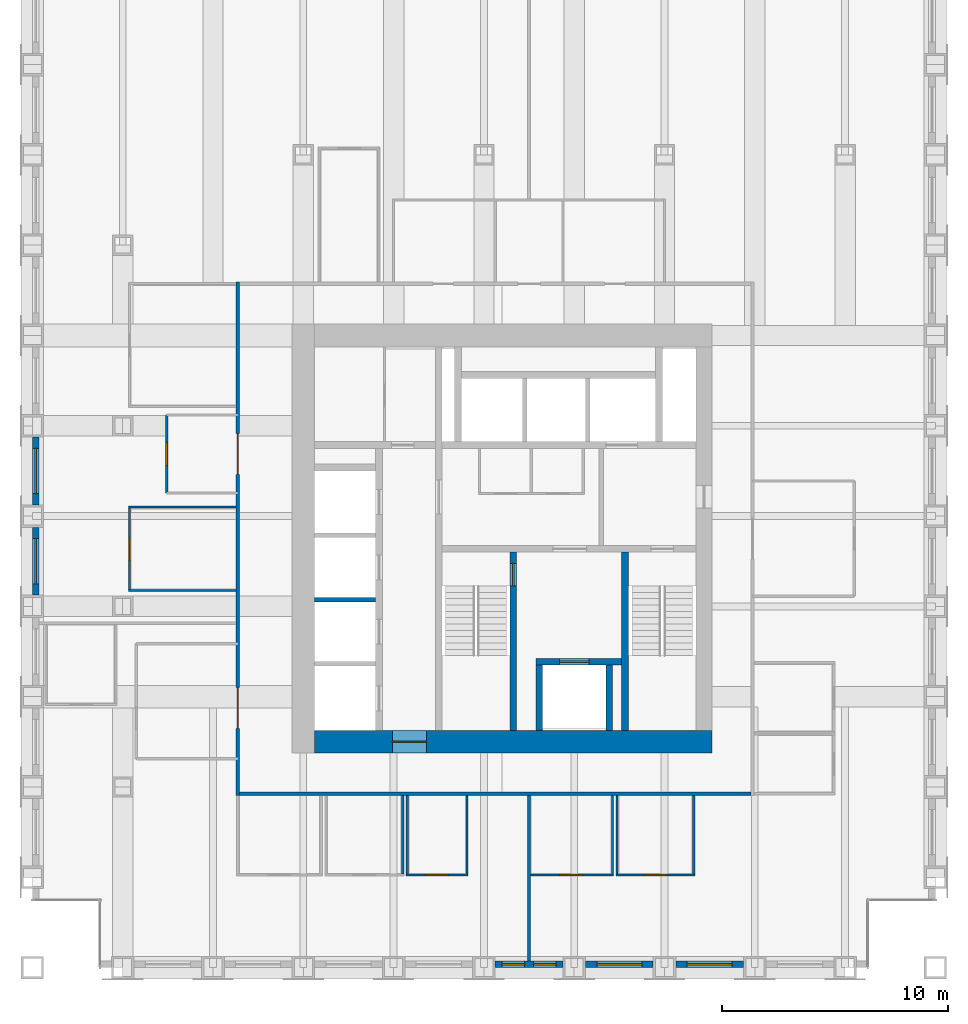
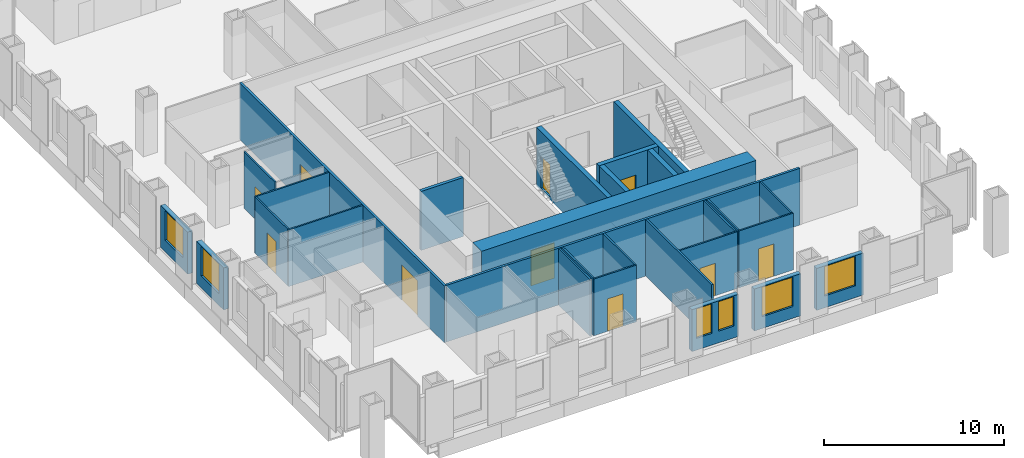
# One storey, part 9 of 14: 28 walls, 10 doors, 6 windows, 16 openings.
"""IFC4 building model written with IfcOpenShell, lengths in metres."""

from ifc_helpers import new_model, si_unit, direction, frame, frame_2d, origin, place, context, subcontext, project, spatial, rectangle, extrude, material, layer, layer_set, type_object, element, fill, save


model = new_model("IFC4")

# Units and contexts
model_context = context("Model", 3, precision=1e-05, world=origin(), true_north=direction((0.0, 1.0)))
body_context = subcontext(model_context, "Body", "Model", "MODEL_VIEW")
ifc_project = project(units=[si_unit("LENGTHUNIT", "METRE"), si_unit("AREAUNIT", "SQUARE_METRE"), si_unit("VOLUMEUNIT", "CUBIC_METRE"), si_unit("PLANEANGLEUNIT", "RADIAN"), si_unit("MASSUNIT", "GRAM", prefix="KILO")], contexts=[model_context])

# Site, building, storey
site_placement = place(None, origin())
site = spatial("IfcSite", under=ifc_project, at=site_placement, CompositionType="ELEMENT")
building_placement = place(site_placement, origin())
building = spatial("IfcBuilding", under=site, at=building_placement, Name="Rimbunsela Tower", CompositionType="ELEMENT")
storey_placement = place(building_placement, frame((0.0, 0.0, 183.800048828125)))
storey = spatial("IfcBuildingStorey", under=building, at=storey_placement, Name="L44", CompositionType="ELEMENT", Elevation=183.800048828125)

# Wall, opening, door
ifc_material_1 = material(Name="Concrete fc' 80 MPa", Category="concrete")
ifc_layer_1 = layer(ifc_material_1, 0.300048828125)
ifc_layer_set_1 = layer_set([ifc_layer_1], Name="Core internal wall 300")
wall_type_1 = type_object("IfcWallType", Name="Core internal wall 300", PredefinedType="SHEAR", material=ifc_layer_set_1)
wall_1_placement = place(storey_placement, frame((27.300048828125, 18.5, -0.150146484375), z_axis=(0.0, 0.0, 1.0), x_axis=(0.0, 1.0, 0.0)))
wall_1 = element("IfcWall", 1, at=wall_1_placement, inside=storey, type_object=wall_type_1, Name="Stair A enclosure", PredefinedType="SHEAR", context=body_context, shape_type="SweptSolid", body=[
    extrude(rectangle(XDim=7.89990234375, YDim=0.300048828125, at=frame_2d((3.949951171875, 0.0))), origin(), (0.0, 0.0, 1.0), 4.0),
])
opening_1_placement = place(wall_1_placement, frame((6.39990234375, 0.0, 0.14990234375)))
opening_1 = element("IfcOpeningElement", 2, at=opening_1_placement, cuts=wall_1, Name="Opening D01", PredefinedType="OPENING", context=body_context, shape_type="SweptSolid", body=[
    extrude(rectangle(XDim=1.0, YDim=2.199951171875, at=frame_2d((0.5, 1.10009765625))), frame((0.0, 0.159912109375, 0.0), z_axis=(0.0, -1.0, 0.0), x_axis=(1.0, 0.0, 0.0)), (0.0, 0.0, 1.0), 0.320068359375),
])
ifc_material_2 = material(Name="Steel door, fire rated", Category="steel")
door_type_1 = type_object("IfcDoorType", Name="Stair door 1000", OperationType="SINGLE_SWING_RIGHT", PredefinedType="DOOR", material=ifc_material_2)
door_1_placement = place(opening_1_placement, origin())
door_1 = element("IfcDoor", 3, at=door_1_placement, inside=storey, type_object=door_type_1, Name="Stair A door", OperationType="SINGLE_SWING_RIGHT", OverallHeight=2.199951171875, OverallWidth=1.0, PredefinedType="DOOR", context=body_context, shape_type="SweptSolid", body=[
    extrude(rectangle(XDim=1.0, YDim=2.199951171875, at=frame_2d((0.5, 1.10009765625))), frame((0.0, 0.02490234375, 0.0), z_axis=(0.0, -1.0, 0.0), x_axis=(1.0, 0.0, 0.0)), (0.0, 0.0, 1.0), 0.050048828125),
])
fill(opening_1, door_1)

# Walls
wall_2_placement = place(storey_placement, frame((32.25, 18.5, -0.150146484375), z_axis=(0.0, 0.0, 1.0), x_axis=(0.0, 1.0, 0.0)))
element("IfcWall", 4, at=wall_2_placement, inside=storey, type_object=wall_type_1, Name="Stair B enclosure", PredefinedType="SHEAR", context=body_context, shape_type="SweptSolid", body=[
    extrude(rectangle(XDim=7.89990234375, YDim=0.300048828125, at=frame_2d((3.949951171875, 0.0))), origin(), (0.0, 0.0, 1.0), 4.0),
])
for number, where, z_axis, x_axis, name in (
    (5, (28.449951171875, 18.5, -0.150146484375), (0.0, 0.0, 1.0), (0.0, 1.0, 0.0), "Firefighting lift shaft west"),
    (6, (31.550048828125, 18.5, -0.150146484375), (0.0, 0.0, 1.0), (0.0, 1.0, 0.0), "Firefighting lift shaft east"),
):
    element("IfcWall", number, at=place(storey_placement, frame(where, z_axis=z_axis, x_axis=x_axis)), inside=storey, type_object=wall_type_1, Name=name, PredefinedType="SHEAR", context=body_context, shape_type="SweptSolid", body=[
        extrude(rectangle(XDim=2.89990234375, YDim=0.300048828125, at=frame_2d((1.449951171875, 0.0))), origin(), (0.0, 0.0, 1.0), 4.0),
    ])

# Wall, opening, door
wall_3_placement = place(storey_placement, frame((28.300048828125, 21.550048828125, -0.150146484375), z_axis=(0.0, 0.0, 1.0), x_axis=(1.0, 0.0, 0.0)))
wall_3 = element("IfcWall", 7, at=wall_3_placement, inside=storey, type_object=wall_type_1, Name="Firefighting lift shaft front", PredefinedType="SHEAR", context=body_context, shape_type="SweptSolid", body=[
    extrude(rectangle(XDim=3.800048828125, YDim=0.300048828125, at=frame_2d((1.89990234375, 0.0))), origin(), (0.0, 0.0, 1.0), 4.0),
])
opening_2_placement = place(wall_3_placement, frame((1.050048828125, 0.0, 0.14990234375)))
opening_2 = element("IfcOpeningElement", 8, at=opening_2_placement, cuts=wall_3, Name="Opening LD2", PredefinedType="OPENING", context=body_context, shape_type="SweptSolid", body=[
    extrude(rectangle(XDim=1.300048828125, YDim=2.39990234375, at=frame_2d((0.64990234375, 1.199951171875))), frame((0.0, 0.159912109375, 0.0), z_axis=(0.0, -1.0, 0.0), x_axis=(1.0, 0.0, 0.0)), (0.0, 0.0, 1.0), 0.320068359375),
])
ifc_material_3 = material(Name="Steel door, fire rated", Category="steel")
door_type_2 = type_object("IfcDoorType", Name="Lift landing door 1300", OperationType="DOUBLE_DOOR_SLIDING", PredefinedType="DOOR", material=ifc_material_3)
door_2_placement = place(opening_2_placement, origin())
door_2 = element("IfcDoor", 9, at=door_2_placement, inside=storey, type_object=door_type_2, Name="Lift landing door FL1", OperationType="DOUBLE_DOOR_SLIDING", OverallHeight=2.39990234375, OverallWidth=1.300048828125, PredefinedType="DOOR", context=body_context, shape_type="SweptSolid", body=[
    extrude(rectangle(XDim=1.300048828125, YDim=2.39990234375, at=frame_2d((0.64990234375, 1.199951171875))), frame((0.0, 0.02490234375, 0.0), z_axis=(0.0, -1.0, 0.0), x_axis=(1.0, 0.0, 0.0)), (0.0, 0.0, 1.0), 0.050048828125),
])
fill(opening_2, door_2)

ifc_material_4 = material(Name="Concrete fc' 80 MPa", Category="concrete")
ifc_layer_2 = layer(ifc_material_4, 1.0)
ifc_layer_set_2 = layer_set([ifc_layer_2], Name="Core wall 1000")
wall_type_2 = type_object("IfcWallType", Name="Core wall 1000", PredefinedType="SHEAR", material=ifc_layer_set_2)
wall_4_placement = place(storey_placement, frame((18.5, 18.0, -0.150146484375), z_axis=(0.0, 0.0, 1.0), x_axis=(1.0, 0.0, 0.0)))
wall_4 = element("IfcWall", 10, at=wall_4_placement, inside=storey, type_object=wall_type_2, Name="Core wall south", PredefinedType="SHEAR", context=body_context, shape_type="SweptSolid", body=[
    extrude(rectangle(XDim=17.60009765625, YDim=1.0, at=frame_2d((8.800048828125, 0.0))), origin(), (0.0, 0.0, 1.0), 4.0),
])
opening_3_placement = place(wall_4_placement, frame((3.449951171875, 0.0, 0.14990234375)))
opening_3 = element("IfcOpeningElement", 11, at=opening_3_placement, cuts=wall_4, Name="Opening D03", PredefinedType="OPENING", context=body_context, shape_type="SweptSolid", body=[
    extrude(rectangle(XDim=1.5, YDim=2.39990234375, at=frame_2d((0.75, 1.199951171875))), frame((0.0, 0.510009765625, 0.0), z_axis=(0.0, -1.0, 0.0), x_axis=(1.0, 0.0, 0.0)), (0.0, 0.0, 1.0), 1.02001953125),
])
ifc_material_5 = material(Name="Steel door, fire rated", Category="steel")
door_type_3 = type_object("IfcDoorType", Name="Core lobby door 1500", OperationType="DOUBLE_DOOR_DOUBLE_SWING", PredefinedType="DOOR", material=ifc_material_5)
door_3_placement = place(opening_3_placement, origin())
door_3 = element("IfcDoor", 12, at=door_3_placement, inside=storey, type_object=door_type_3, Name="Core door south", OperationType="DOUBLE_DOOR_DOUBLE_SWING", OverallHeight=2.39990234375, OverallWidth=1.5, PredefinedType="DOOR", context=body_context, shape_type="SweptSolid", body=[
    extrude(rectangle(XDim=1.5, YDim=2.39990234375, at=frame_2d((0.75, 1.199951171875))), frame((0.0, 0.02490234375, 0.0), z_axis=(0.0, -1.0, 0.0), x_axis=(1.0, 0.0, 0.0)), (0.0, 0.0, 1.0), 0.050048828125),
])
fill(opening_3, door_3)

# Wall
ifc_material_6 = material(Name="Concrete blockwork", Category="masonry")
ifc_layer_3 = layer(ifc_material_6, 0.199951171875)
ifc_layer_set_3 = layer_set([ifc_layer_3], Name="Lift shaft wall 200")
wall_type_3 = type_object("IfcWallType", Name="Lift shaft wall 200", PredefinedType="SOLIDWALL", material=ifc_layer_set_3)
wall_5_placement = place(storey_placement, frame((18.5, 24.300048828125, -0.150146484375), z_axis=(0.0, 0.0, 1.0), x_axis=(1.0, 0.0, 0.0)))
element("IfcWall", 13, at=wall_5_placement, inside=storey, type_object=wall_type_3, Name="Lift shaft separation", PredefinedType="SOLIDWALL", context=body_context, shape_type="SweptSolid", body=[
    extrude(rectangle(XDim=2.699951171875, YDim=0.199951171875, at=frame_2d((1.35009765625, 0.0))), origin(), (0.0, 0.0, 1.0), 4.0),
])

# Wall, opening, door
ifc_material_7 = material(Name="Gypsum board on steel studs", Category="steel")
ifc_layer_4 = layer(ifc_material_7, 0.10009765625)
ifc_layer_set_4 = layer_set([ifc_layer_4], Name="Office partition 100")
wall_type_4 = type_object("IfcWallType", Name="Office partition 100", PredefinedType="PARTITIONING", material=ifc_layer_set_4)
wall_6_placement = place(storey_placement, frame((22.550048828125, 12.10009765625, 0.0), z_axis=(0.0, 0.0, 1.0), x_axis=(1.0, 0.0, 0.0)))
wall_6 = element("IfcWall", 14, at=wall_6_placement, inside=storey, type_object=wall_type_4, Name="Office partition", PredefinedType="PARTITIONING", context=body_context, shape_type="SweptSolid", body=[
    extrude(rectangle(XDim=2.75, YDim=0.10009765625, at=frame_2d((1.375, 0.0))), origin(), (0.0, 0.0, 1.0), 3.849853515625),
])
opening_4_placement = place(wall_6_placement, frame((0.875, 0.0, 0.0)))
opening_4 = element("IfcOpeningElement", 15, at=opening_4_placement, cuts=wall_6, Name="Opening D16", PredefinedType="OPENING", context=body_context, shape_type="SweptSolid", body=[
    extrude(rectangle(XDim=1.0, YDim=2.199951171875, at=frame_2d((0.5, 1.10009765625))), frame((0.0, 0.06005859375, 0.0), z_axis=(0.0, -1.0, 0.0), x_axis=(1.0, 0.0, 0.0)), (0.0, 0.0, 1.0), 0.1201171875),
])
ifc_material_8 = material(Name="Timber door", Category="wood")
door_type_4 = type_object("IfcDoorType", Name="Office door 1000", OperationType="SINGLE_SWING_LEFT", PredefinedType="DOOR", material=ifc_material_8)
door_4_placement = place(opening_4_placement, origin())
door_4 = element("IfcDoor", 16, at=door_4_placement, inside=storey, type_object=door_type_4, Name="Office door", OperationType="SINGLE_SWING_LEFT", OverallHeight=2.199951171875, OverallWidth=1.0, PredefinedType="DOOR", context=body_context, shape_type="SweptSolid", body=[
    extrude(rectangle(XDim=1.0, YDim=2.199951171875, at=frame_2d((0.5, 1.10009765625))), frame((0.0, 0.02490234375, 0.0), z_axis=(0.0, -1.0, 0.0), x_axis=(1.0, 0.0, 0.0)), (0.0, 0.0, 1.0), 0.050048828125),
])
fill(opening_4, door_4)

wall_7_placement = place(storey_placement, frame((28.06005859375, 12.10009765625, 0.0), z_axis=(0.0, 0.0, 1.0), x_axis=(1.0, 0.0, 0.0)))
wall_7 = element("IfcWall", 17, at=wall_7_placement, inside=storey, type_object=wall_type_4, Name="Office partition", PredefinedType="PARTITIONING", context=body_context, shape_type="SweptSolid", body=[
    extrude(rectangle(XDim=3.68994140625, YDim=0.10009765625, at=frame_2d((1.844970703125, 0.0))), origin(), (0.0, 0.0, 1.0), 3.849853515625),
])
opening_5_placement = place(wall_7_placement, frame((1.2900390625, 0.0, 0.0)))
opening_5 = element("IfcOpeningElement", 18, at=opening_5_placement, cuts=wall_7, Name="Opening D17", PredefinedType="OPENING", context=body_context, shape_type="SweptSolid", body=[
    extrude(rectangle(XDim=1.0, YDim=2.199951171875, at=frame_2d((0.5, 1.10009765625))), frame((0.0, 0.06005859375, 0.0), z_axis=(0.0, -1.0, 0.0), x_axis=(1.0, 0.0, 0.0)), (0.0, 0.0, 1.0), 0.1201171875),
])
ifc_material_9 = material(Name="Glazed aluminium door", Category="aluminium")
door_type_5 = type_object("IfcDoorType", Name="Meeting room door 1000 glazed", OperationType="SINGLE_SWING_RIGHT", PredefinedType="DOOR", material=ifc_material_9)
door_5_placement = place(opening_5_placement, origin())
door_5 = element("IfcDoor", 19, at=door_5_placement, inside=storey, type_object=door_type_5, Name="Meeting room door", OperationType="SINGLE_SWING_RIGHT", OverallHeight=2.199951171875, OverallWidth=1.0, PredefinedType="DOOR", context=body_context, shape_type="SweptSolid", body=[
    extrude(rectangle(XDim=1.0, YDim=2.199951171875, at=frame_2d((0.5, 1.10009765625))), frame((0.0, 0.02490234375, 0.0), z_axis=(0.0, -1.0, 0.0), x_axis=(1.0, 0.0, 0.0)), (0.0, 0.0, 1.0), 0.050048828125),
])
fill(opening_5, door_5)

wall_8_placement = place(storey_placement, frame((31.85009765625, 12.10009765625, 0.0), z_axis=(0.0, 0.0, 1.0), x_axis=(1.0, 0.0, 0.0)))
wall_8 = element("IfcWall", 20, at=wall_8_placement, inside=storey, type_object=wall_type_4, Name="Office partition", PredefinedType="PARTITIONING", context=body_context, shape_type="SweptSolid", body=[
    extrude(rectangle(XDim=3.5, YDim=0.10009765625, at=frame_2d((1.75, 0.0))), origin(), (0.0, 0.0, 1.0), 3.849853515625),
])
opening_6_placement = place(wall_8_placement, frame((1.25, 0.0, 0.0)))
opening_6 = element("IfcOpeningElement", 21, at=opening_6_placement, cuts=wall_8, Name="Opening D16", PredefinedType="OPENING", context=body_context, shape_type="SweptSolid", body=[
    extrude(rectangle(XDim=1.0, YDim=2.199951171875, at=frame_2d((0.5, 1.10009765625))), frame((0.0, 0.06005859375, 0.0), z_axis=(0.0, -1.0, 0.0), x_axis=(1.0, 0.0, 0.0)), (0.0, 0.0, 1.0), 0.1201171875),
])
door_6_placement = place(opening_6_placement, origin())
door_6 = element("IfcDoor", 22, at=door_6_placement, inside=storey, type_object=door_type_4, Name="Office door", OperationType="SINGLE_SWING_LEFT", OverallHeight=2.199951171875, OverallWidth=1.0, PredefinedType="DOOR", context=body_context, shape_type="SweptSolid", body=[
    extrude(rectangle(XDim=1.0, YDim=2.199951171875, at=frame_2d((0.5, 1.10009765625))), frame((0.0, 0.02490234375, 0.0), z_axis=(0.0, -1.0, 0.0), x_axis=(1.0, 0.0, 0.0)), (0.0, 0.0, 1.0), 0.050048828125),
])
fill(opening_6, door_6)

# Walls
for number, where, z_axis, x_axis, name in (
    (23, (10.25, 24.699951171875, 0.0), (0.0, 0.0, 1.0), (1.0, 0.0, 0.0), "Office partition"),
    (24, (10.25, 28.39990234375, 0.0), (0.0, 0.0, 1.0), (1.0, 0.0, 0.0), "Office partition"),
):
    element("IfcWall", number, at=place(storey_placement, frame(where, z_axis=z_axis, x_axis=x_axis)), inside=storey, type_object=wall_type_4, Name=name, PredefinedType="PARTITIONING", context=body_context, shape_type="SweptSolid", body=[
        extrude(rectangle(XDim=4.77490234375, YDim=0.10009765625, at=frame_2d((2.387451171875, 0.0))), origin(), (0.0, 0.0, 1.0), 3.849853515625),
    ])

# Wall, opening, door
wall_9_placement = place(storey_placement, frame((10.300048828125, 24.75, 0.0), z_axis=(0.0, 0.0, 1.0), x_axis=(0.0, 1.0, 0.0)))
wall_9 = element("IfcWall", 25, at=wall_9_placement, inside=storey, type_object=wall_type_4, Name="Office partition", PredefinedType="PARTITIONING", context=body_context, shape_type="SweptSolid", body=[
    extrude(rectangle(XDim=3.60009765625, YDim=0.10009765625, at=frame_2d((1.800048828125, 0.0))), origin(), (0.0, 0.0, 1.0), 3.849853515625),
])
opening_7_placement = place(wall_9_placement, frame((1.300048828125, 0.0, 0.0)))
opening_7 = element("IfcOpeningElement", 26, at=opening_7_placement, cuts=wall_9, Name="Opening D17", PredefinedType="OPENING", context=body_context, shape_type="SweptSolid", body=[
    extrude(rectangle(XDim=1.0, YDim=2.199951171875, at=frame_2d((0.5, 1.10009765625))), frame((0.0, 0.06005859375, 0.0), z_axis=(0.0, -1.0, 0.0), x_axis=(1.0, 0.0, 0.0)), (0.0, 0.0, 1.0), 0.1201171875),
])
door_7_placement = place(opening_7_placement, origin())
door_7 = element("IfcDoor", 27, at=door_7_placement, inside=storey, type_object=door_type_5, Name="Meeting room door", OperationType="SINGLE_SWING_RIGHT", OverallHeight=2.199951171875, OverallWidth=1.0, PredefinedType="DOOR", context=body_context, shape_type="SweptSolid", body=[
    extrude(rectangle(XDim=1.0, YDim=2.199951171875, at=frame_2d((0.5, 1.10009765625))), frame((0.0, 0.02490234375, 0.0), z_axis=(0.0, -1.0, 0.0), x_axis=(1.0, 0.0, 0.0)), (0.0, 0.0, 1.0), 0.050048828125),
])
fill(opening_7, door_7)

# Walls
for number, where, z_axis, x_axis, name in (
    (28, (22.39990234375, 12.14990234375, 0.0), (0.0, 0.0, 1.0), (0.0, 1.0, 0.0), "Office partition"),
    (29, (22.60009765625, 12.14990234375, 0.0), (0.0, 0.0, 1.0), (0.0, 1.0, 0.0), "Office partition"),
    (30, (25.25, 12.14990234375, 0.0), (0.0, 0.0, 1.0), (0.0, 1.0, 0.0), "Office partition"),
    (31, (31.699951171875, 12.14990234375, 0.0), (0.0, 0.0, 1.0), (0.0, 1.0, 0.0), "Office partition"),
    (32, (31.89990234375, 12.14990234375, 0.0), (0.0, 0.0, 1.0), (0.0, 1.0, 0.0), "Office partition"),
    (33, (35.300048828125, 12.14990234375, 0.0), (0.0, 0.0, 1.0), (0.0, 1.0, 0.0), "Office partition"),
):
    element("IfcWall", number, at=place(storey_placement, frame(where, z_axis=z_axis, x_axis=x_axis)), inside=storey, type_object=wall_type_4, Name=name, PredefinedType="PARTITIONING", context=body_context, shape_type="SweptSolid", body=[
        extrude(rectangle(XDim=3.47509765625, YDim=0.10009765625, at=frame_2d((1.737548828125, 0.0))), origin(), (0.0, 0.0, 1.0), 3.849853515625),
    ])

# Wall, opening, door
wall_10_placement = place(storey_placement, frame((11.949951171875, 32.47509765625, 0.0), z_axis=(0.0, 0.0, 1.0), x_axis=(0.0, -1.0, 0.0)))
wall_10 = element("IfcWall", 34, at=wall_10_placement, inside=storey, type_object=wall_type_4, Name="Office partition", PredefinedType="PARTITIONING", context=body_context, shape_type="SweptSolid", body=[
    extrude(rectangle(XDim=3.4501953125, YDim=0.10009765625, at=frame_2d((1.72509765625, 0.0))), origin(), (0.0, 0.0, 1.0), 3.849853515625),
])
opening_8_placement = place(wall_10_placement, frame((1.22509765625, 0.0, 0.0)))
opening_8 = element("IfcOpeningElement", 35, at=opening_8_placement, cuts=wall_10, Name="Opening D17", PredefinedType="OPENING", context=body_context, shape_type="SweptSolid", body=[
    extrude(rectangle(XDim=1.0, YDim=2.199951171875, at=frame_2d((0.5, 1.10009765625))), frame((0.0, 0.06005859375, 0.0), z_axis=(0.0, -1.0, 0.0), x_axis=(1.0, 0.0, 0.0)), (0.0, 0.0, 1.0), 0.1201171875),
])
door_8_placement = place(opening_8_placement, origin())
door_8 = element("IfcDoor", 36, at=door_8_placement, inside=storey, type_object=door_type_5, Name="Reception door", OperationType="SINGLE_SWING_RIGHT", OverallHeight=2.199951171875, OverallWidth=1.0, PredefinedType="DOOR", context=body_context, shape_type="SweptSolid", body=[
    extrude(rectangle(XDim=1.0, YDim=2.199951171875, at=frame_2d((0.5, 1.10009765625))), frame((0.0, 0.02490234375, 0.0), z_axis=(0.0, -1.0, 0.0), x_axis=(1.0, 0.0, 0.0)), (0.0, 0.0, 1.0), 0.050048828125),
])
fill(opening_8, door_8)

# Wall, openings, windows
ifc_material_10 = material(Name="Precast concrete fc' 35 MPa", Category="concrete")
ifc_layer_5 = layer(ifc_material_10, 0.300048828125)
ifc_layer_set_5 = layer_set([ifc_layer_5], Name="Precast concrete fc' 35 MPa")
wall_type_5 = type_object("IfcWallType", Name="Precast facade panel 300", PredefinedType="ELEMENTEDWALL", material=ifc_layer_set_5)
wall_11_placement = place(storey_placement, frame((26.5, 8.14990234375, 0.0), z_axis=(0.0, 0.0, 1.0), x_axis=(1.0, 0.0, 0.0)))
wall_11 = element("IfcWall", 37, at=wall_11_placement, inside=storey, type_object=wall_type_5, Name="Facade panel S L44", PredefinedType="ELEMENTEDWALL", context=body_context, shape_type="SweptSolid", body=[
    extrude(rectangle(XDim=3.0, YDim=0.300048828125, at=frame_2d((1.5, 0.0))), origin(), (0.0, 0.0, 1.0), 2.849853515625),
])
opening_9_placement = place(wall_11_placement, frame((0.300048828125, 0.0, 0.800048828125)))
opening_9 = element("IfcOpeningElement", 38, at=opening_9_placement, cuts=wall_11, Name="Opening W5", PredefinedType="OPENING", context=body_context, shape_type="SweptSolid", body=[
    extrude(rectangle(XDim=1.0, YDim=2.0, at=frame_2d((0.5, 1.0))), frame((0.0, 0.159912109375, 0.0), z_axis=(0.0, -1.0, 0.0), x_axis=(1.0, 0.0, 0.0)), (0.0, 0.0, 1.0), 0.320068359375),
])
opening_10_placement = place(wall_11_placement, frame((1.699951171875, 0.0, 0.800048828125)))
opening_10 = element("IfcOpeningElement", 39, at=opening_10_placement, cuts=wall_11, Name="Opening W5", PredefinedType="OPENING", context=body_context, shape_type="SweptSolid", body=[
    extrude(rectangle(XDim=1.0, YDim=2.0, at=frame_2d((0.5, 1.0))), frame((0.0, 0.159912109375, 0.0), z_axis=(0.0, -1.0, 0.0), x_axis=(1.0, 0.0, 0.0)), (0.0, 0.0, 1.0), 0.320068359375),
])
ifc_material_11 = material(Name="Clear glass in aluminium frame", Category="aluminium")
window_type_1 = type_object("IfcWindowType", Name="Window W5 1000x2000", PartitioningType="SINGLE_PANEL", PredefinedType="WINDOW", material=ifc_material_11)
window_1_placement = place(opening_9_placement, origin())
window_1 = element("IfcWindow", 40, at=window_1_placement, inside=storey, type_object=window_type_1, Name="Window L44", OverallHeight=2.0, OverallWidth=1.0, PartitioningType="SINGLE_PANEL", PredefinedType="WINDOW", context=body_context, shape_type="SweptSolid", body=[
    extrude(rectangle(XDim=1.0, YDim=2.0, at=frame_2d((0.5, 1.0))), frame((0.0, 0.030029296875, 0.0), z_axis=(0.0, -1.0, 0.0), x_axis=(1.0, 0.0, 0.0)), (0.0, 0.0, 1.0), 0.06005859375),
])
fill(opening_9, window_1)
window_2_placement = place(opening_10_placement, origin())
window_2 = element("IfcWindow", 41, at=window_2_placement, inside=storey, type_object=window_type_1, Name="Window L44", OverallHeight=2.0, OverallWidth=1.0, PartitioningType="SINGLE_PANEL", PredefinedType="WINDOW", context=body_context, shape_type="SweptSolid", body=[
    extrude(rectangle(XDim=1.0, YDim=2.0, at=frame_2d((0.5, 1.0))), frame((0.0, 0.030029296875, 0.0), z_axis=(0.0, -1.0, 0.0), x_axis=(1.0, 0.0, 0.0)), (0.0, 0.0, 1.0), 0.06005859375),
])
fill(opening_10, window_2)

# Wall, opening, window
wall_12_placement = place(storey_placement, frame((30.5, 8.14990234375, 0.0), z_axis=(0.0, 0.0, 1.0), x_axis=(1.0, 0.0, 0.0)))
wall_12 = element("IfcWall", 42, at=wall_12_placement, inside=storey, type_object=wall_type_5, Name="Facade panel S L44", PredefinedType="ELEMENTEDWALL", context=body_context, shape_type="SweptSolid", body=[
    extrude(rectangle(XDim=3.0, YDim=0.300048828125, at=frame_2d((1.5, 0.0))), origin(), (0.0, 0.0, 1.0), 2.849853515625),
])
opening_11_placement = place(wall_12_placement, frame((0.5, 0.0, 0.800048828125)))
opening_11 = element("IfcOpeningElement", 43, at=opening_11_placement, cuts=wall_12, Name="Opening W1", PredefinedType="OPENING", context=body_context, shape_type="SweptSolid", body=[
    extrude(rectangle(XDim=2.0, YDim=2.0, at=frame_2d((1.0, 1.0))), frame((0.0, 0.159912109375, 0.0), z_axis=(0.0, -1.0, 0.0), x_axis=(1.0, 0.0, 0.0)), (0.0, 0.0, 1.0), 0.320068359375),
])
ifc_material_12 = material(Name="Clear glass in aluminium frame", Category="aluminium")
window_type_2 = type_object("IfcWindowType", Name="Window W1 2000x2000", PartitioningType="DOUBLE_PANEL_VERTICAL", PredefinedType="WINDOW", material=ifc_material_12)
window_3_placement = place(opening_11_placement, origin())
window_3 = element("IfcWindow", 44, at=window_3_placement, inside=storey, type_object=window_type_2, Name="Window L44", OverallHeight=2.0, OverallWidth=2.0, PartitioningType="SINGLE_PANEL", PredefinedType="WINDOW", context=body_context, shape_type="SweptSolid", body=[
    extrude(rectangle(XDim=2.0, YDim=2.0, at=frame_2d((1.0, 1.0))), frame((0.0, 0.030029296875, 0.0), z_axis=(0.0, -1.0, 0.0), x_axis=(1.0, 0.0, 0.0)), (0.0, 0.0, 1.0), 0.06005859375),
])
fill(opening_11, window_3)

wall_13_placement = place(storey_placement, frame((34.5, 8.14990234375, 0.0), z_axis=(0.0, 0.0, 1.0), x_axis=(1.0, 0.0, 0.0)))
wall_13 = element("IfcWall", 45, at=wall_13_placement, inside=storey, type_object=wall_type_5, Name="Facade panel S L44", PredefinedType="ELEMENTEDWALL", context=body_context, shape_type="SweptSolid", body=[
    extrude(rectangle(XDim=3.0, YDim=0.300048828125, at=frame_2d((1.5, 0.0))), origin(), (0.0, 0.0, 1.0), 2.849853515625),
])
opening_12_placement = place(wall_13_placement, frame((0.5, 0.0, 0.800048828125)))
opening_12 = element("IfcOpeningElement", 46, at=opening_12_placement, cuts=wall_13, Name="Opening W1", PredefinedType="OPENING", context=body_context, shape_type="SweptSolid", body=[
    extrude(rectangle(XDim=2.0, YDim=2.0, at=frame_2d((1.0, 1.0))), frame((0.0, 0.159912109375, 0.0), z_axis=(0.0, -1.0, 0.0), x_axis=(1.0, 0.0, 0.0)), (0.0, 0.0, 1.0), 0.320068359375),
])
window_4_placement = place(opening_12_placement, origin())
window_4 = element("IfcWindow", 47, at=window_4_placement, inside=storey, type_object=window_type_2, Name="Window L44", OverallHeight=2.0, OverallWidth=2.0, PartitioningType="SINGLE_PANEL", PredefinedType="WINDOW", context=body_context, shape_type="SweptSolid", body=[
    extrude(rectangle(XDim=2.0, YDim=2.0, at=frame_2d((1.0, 1.0))), frame((0.0, 0.030029296875, 0.0), z_axis=(0.0, -1.0, 0.0), x_axis=(1.0, 0.0, 0.0)), (0.0, 0.0, 1.0), 0.06005859375),
])
fill(opening_12, window_4)

wall_14_placement = place(storey_placement, frame((6.14990234375, 27.5, 0.0), z_axis=(0.0, 0.0, 1.0), x_axis=(0.0, -1.0, 0.0)))
wall_14 = element("IfcWall", 48, at=wall_14_placement, inside=storey, type_object=wall_type_5, Name="Facade panel W L44", PredefinedType="ELEMENTEDWALL", context=body_context, shape_type="SweptSolid", body=[
    extrude(rectangle(XDim=3.0, YDim=0.300048828125, at=frame_2d((1.5, 0.0))), origin(), (0.0, 0.0, 1.0), 2.849853515625),
])
opening_13_placement = place(wall_14_placement, frame((0.5, 0.0, 0.800048828125)))
opening_13 = element("IfcOpeningElement", 49, at=opening_13_placement, cuts=wall_14, Name="Opening W1", PredefinedType="OPENING", context=body_context, shape_type="SweptSolid", body=[
    extrude(rectangle(XDim=2.0, YDim=2.0, at=frame_2d((1.0, 1.0))), frame((0.0, 0.159912109375, 0.0), z_axis=(0.0, -1.0, 0.0), x_axis=(1.0, 0.0, 0.0)), (0.0, 0.0, 1.0), 0.320068359375),
])
window_5_placement = place(opening_13_placement, origin())
window_5 = element("IfcWindow", 50, at=window_5_placement, inside=storey, type_object=window_type_2, Name="Window L44", OverallHeight=2.0, OverallWidth=2.0, PartitioningType="SINGLE_PANEL", PredefinedType="WINDOW", context=body_context, shape_type="SweptSolid", body=[
    extrude(rectangle(XDim=2.0, YDim=2.0, at=frame_2d((1.0, 1.0))), frame((0.0, 0.030029296875, 0.0), z_axis=(0.0, -1.0, 0.0), x_axis=(1.0, 0.0, 0.0)), (0.0, 0.0, 1.0), 0.06005859375),
])
fill(opening_13, window_5)

wall_15_placement = place(storey_placement, frame((6.14990234375, 31.5, 0.0), z_axis=(0.0, 0.0, 1.0), x_axis=(0.0, -1.0, 0.0)))
wall_15 = element("IfcWall", 51, at=wall_15_placement, inside=storey, type_object=wall_type_5, Name="Facade panel W L44", PredefinedType="ELEMENTEDWALL", context=body_context, shape_type="SweptSolid", body=[
    extrude(rectangle(XDim=3.0, YDim=0.300048828125, at=frame_2d((1.5, 0.0))), origin(), (0.0, 0.0, 1.0), 2.849853515625),
])
opening_14_placement = place(wall_15_placement, frame((0.5, 0.0, 0.800048828125)))
opening_14 = element("IfcOpeningElement", 52, at=opening_14_placement, cuts=wall_15, Name="Opening W1", PredefinedType="OPENING", context=body_context, shape_type="SweptSolid", body=[
    extrude(rectangle(XDim=2.0, YDim=2.0, at=frame_2d((1.0, 1.0))), frame((0.0, 0.159912109375, 0.0), z_axis=(0.0, -1.0, 0.0), x_axis=(1.0, 0.0, 0.0)), (0.0, 0.0, 1.0), 0.320068359375),
])
window_6_placement = place(opening_14_placement, origin())
window_6 = element("IfcWindow", 53, at=window_6_placement, inside=storey, type_object=window_type_2, Name="Window L44", OverallHeight=2.0, OverallWidth=2.0, PartitioningType="SINGLE_PANEL", PredefinedType="WINDOW", context=body_context, shape_type="SweptSolid", body=[
    extrude(rectangle(XDim=2.0, YDim=2.0, at=frame_2d((1.0, 1.0))), frame((0.0, 0.030029296875, 0.0), z_axis=(0.0, -1.0, 0.0), x_axis=(1.0, 0.0, 0.0)), (0.0, 0.0, 1.0), 0.06005859375),
])
fill(opening_14, window_6)

# Wall, openings, doors
ifc_material_13 = material(Name="Fire-rated gypsum board on steel studs, EI 60", Category="steel")
ifc_layer_6 = layer(ifc_material_13, 0.14990234375)
ifc_layer_set_6 = layer_set([ifc_layer_6], Name="Rated corridor wall 150")
wall_type_6 = type_object("IfcWallType", Name="Rated corridor wall 150", PredefinedType="PARTITIONING", material=ifc_layer_set_6)
wall_16_placement = place(storey_placement, frame((15.10009765625, 15.625, 0.0), z_axis=(0.0, 0.0, 1.0), x_axis=(0.0, 1.0, 0.0)))
wall_16 = element("IfcWall", 54, at=wall_16_placement, inside=storey, type_object=wall_type_6, Name="Corridor wall west", PredefinedType="PARTITIONING", context=body_context, shape_type="SweptSolid", body=[
    extrude(rectangle(XDim=22.75, YDim=0.14990234375, at=frame_2d((11.375, 0.0))), origin(), (0.0, 0.0, 1.0), 3.849853515625),
])
opening_15_placement = place(wall_16_placement, frame((2.97412109375, 0.0, 0.0)))
opening_15 = element("IfcOpeningElement", 55, at=opening_15_placement, cuts=wall_16, Name="Opening D09", PredefinedType="OPENING", context=body_context, shape_type="SweptSolid", body=[
    extrude(rectangle(XDim=1.800048828125, YDim=2.39990234375, at=frame_2d((0.89990234375, 1.199951171875))), frame((0.0, 0.0849609375, 0.0), z_axis=(0.0, -1.0, 0.0), x_axis=(1.0, 0.0, 0.0)), (0.0, 0.0, 1.0), 0.169921875),
])
opening_16_placement = place(wall_16_placement, frame((14.22509765625, 0.0, 0.0)))
opening_16 = element("IfcOpeningElement", 56, at=opening_16_placement, cuts=wall_16, Name="Opening D09", PredefinedType="OPENING", context=body_context, shape_type="SweptSolid", body=[
    extrude(rectangle(XDim=1.800048828125, YDim=2.39990234375, at=frame_2d((0.89990234375, 1.199951171875))), frame((0.0, 0.0849609375, 0.0), z_axis=(0.0, -1.0, 0.0), x_axis=(1.0, 0.0, 0.0)), (0.0, 0.0, 1.0), 0.169921875),
])
ifc_material_14 = material(Name="Glazed aluminium door, fire rated", Category="aluminium")
door_type_6 = type_object("IfcDoorType", Name="Tenancy door 1800 glazed", OperationType="DOUBLE_DOOR_DOUBLE_SWING", PredefinedType="DOOR", material=ifc_material_14)
door_9_placement = place(opening_15_placement, origin())
door_9 = element("IfcDoor", 57, at=door_9_placement, inside=storey, type_object=door_type_6, Name="Tenancy door", OperationType="DOUBLE_DOOR_DOUBLE_SWING", OverallHeight=2.39990234375, OverallWidth=1.800048828125, PredefinedType="DOOR", context=body_context, shape_type="SweptSolid", body=[
    extrude(rectangle(XDim=1.800048828125, YDim=2.39990234375, at=frame_2d((0.89990234375, 1.199951171875))), frame((0.0, 0.02490234375, 0.0), z_axis=(0.0, -1.0, 0.0), x_axis=(1.0, 0.0, 0.0)), (0.0, 0.0, 1.0), 0.050048828125),
])
fill(opening_15, door_9)
door_10_placement = place(opening_16_placement, origin())
door_10 = element("IfcDoor", 58, at=door_10_placement, inside=storey, type_object=door_type_6, Name="Tenancy door", OperationType="DOUBLE_DOOR_DOUBLE_SWING", OverallHeight=2.39990234375, OverallWidth=1.800048828125, PredefinedType="DOOR", context=body_context, shape_type="SweptSolid", body=[
    extrude(rectangle(XDim=1.800048828125, YDim=2.39990234375, at=frame_2d((0.89990234375, 1.199951171875))), frame((0.0, 0.02490234375, 0.0), z_axis=(0.0, -1.0, 0.0), x_axis=(1.0, 0.0, 0.0)), (0.0, 0.0, 1.0), 0.050048828125),
])
fill(opening_16, door_10)

# Walls
wall_17_placement = place(storey_placement, frame((15.175048828125, 15.699951171875, 0.0), z_axis=(0.0, 0.0, 1.0), x_axis=(1.0, 0.0, 0.0)))
element("IfcWall", 59, at=wall_17_placement, inside=storey, type_object=wall_type_6, Name="Corridor wall south", PredefinedType="PARTITIONING", context=body_context, shape_type="SweptSolid", body=[
    extrude(rectangle(XDim=22.64990234375, YDim=0.14990234375, at=frame_2d((11.324951171875, 0.0))), origin(), (0.0, 0.0, 1.0), 3.849853515625),
])
ifc_material_15 = material(Name="Gypsum board on steel studs", Category="steel")
ifc_layer_7 = layer(ifc_material_15, 0.1201171875)
ifc_layer_set_7 = layer_set([ifc_layer_7], Name="Tenancy partition 120")
wall_type_7 = type_object("IfcWallType", Name="Tenancy partition 120", PredefinedType="PARTITIONING", material=ifc_layer_set_7)
wall_18_placement = place(storey_placement, frame((28.0, 8.300048828125, 0.0), z_axis=(0.0, 0.0, 1.0), x_axis=(0.0, 1.0, 0.0)))
element("IfcWall", 60, at=wall_18_placement, inside=storey, type_object=wall_type_7, Name="Tenancy partition south", PredefinedType="PARTITIONING", context=body_context, shape_type="SweptSolid", body=[
    extrude(rectangle(XDim=7.324951171875, YDim=0.1201171875, at=frame_2d((3.66259765625, 0.0))), origin(), (0.0, 0.0, 1.0), 3.849853515625),
])

save(model, "model.ifc")
